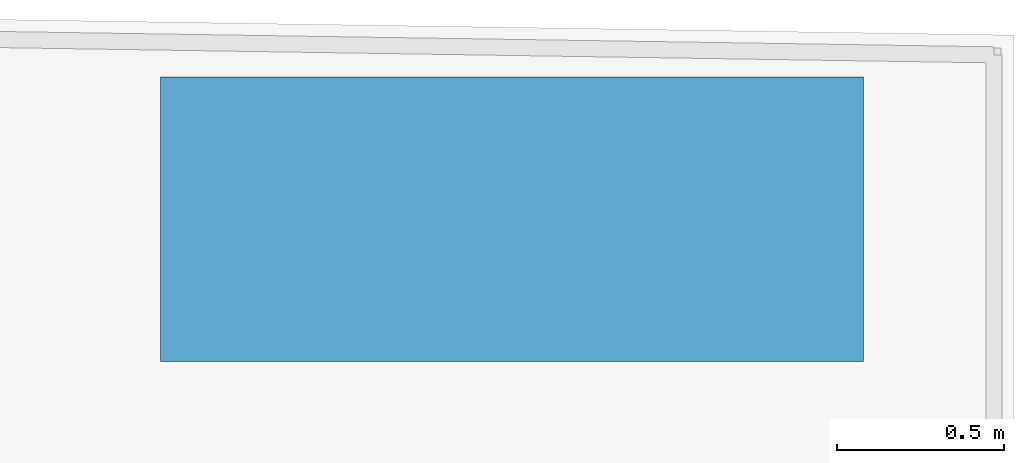
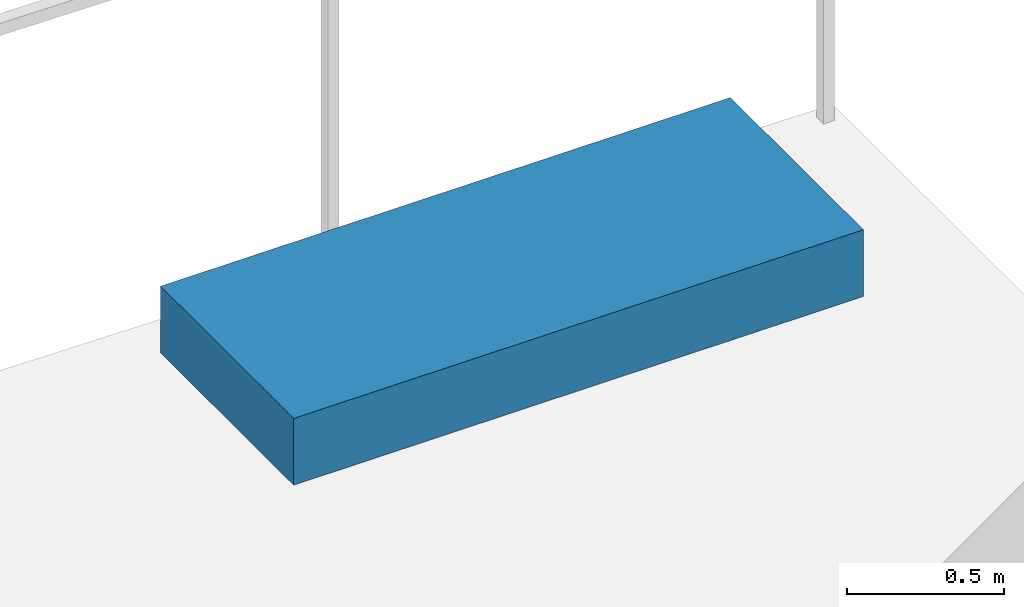
# One storey, part 7 of 10: 1 discrete accessory.
"""IFC4 building model written with IfcOpenShell, lengths in metres."""

from ifc_helpers import new_model, si_unit, direction, frame, origin, origin_2d, place, context, subcontext, project, spatial, rectangle, extrude, material, type_object, element, save


model = new_model("IFC4")

# Units and contexts
model_context = context("Model", 3, precision=1e-05, world=origin(), true_north=direction((0.0, 1.0)))
body_context = subcontext(model_context, "Body", "Model", "MODEL_VIEW")
ifc_project = project(units=[si_unit("LENGTHUNIT", "METRE"), si_unit("AREAUNIT", "SQUARE_METRE"), si_unit("VOLUMEUNIT", "CUBIC_METRE"), si_unit("PLANEANGLEUNIT", "RADIAN"), si_unit("MASSUNIT", "GRAM", prefix="KILO")], contexts=[model_context])

# Site, building, storey
site_placement = place(None, origin())
site = spatial("IfcSite", under=ifc_project, at=site_placement, CompositionType="ELEMENT")
building_placement = place(site_placement, origin())
building = spatial("IfcBuilding", under=site, at=building_placement, Name="Kilnhurst Terrace Hotel", CompositionType="ELEMENT")
storey_placement = place(building_placement, frame((0.0, 0.0, 63.800048828125)))
storey = spatial("IfcBuildingStorey", under=building, at=storey_placement, Name="L14", CompositionType="ELEMENT", Elevation=63.800048828125)

# Discrete accessory
ifc_material = material(Name="Precast Concrete C40/50 Tree Planter", Category="concrete")
discrete_accessory_type = type_object("IfcDiscreteAccessoryType", Name="PLN-TREE-260", PredefinedType="USERDEFINED", material=ifc_material)
discrete_accessory_placement = place(storey_placement, frame((9.89208984375, 25.449951171875, 0.0), z_axis=(0.0, 0.0, 1.0), x_axis=(-1.0, 0.0, 0.0)))
element("IfcDiscreteAccessory", 1, at=discrete_accessory_placement, inside=storey, type_object=discrete_accessory_type, Name="L14 Structural Tree Planter Box PLANTER BAL-L1B.1", ObjectType="PLANTER", PredefinedType="USERDEFINED", context=body_context, shape_type="SweptSolid", body=[
    extrude(rectangle(XDim=2.10009765625, YDim=0.85009765625, at=origin_2d()), origin(), (0.0, 0.0, 1.0), 0.260009765625),
])

save(model, "model.ifc")
